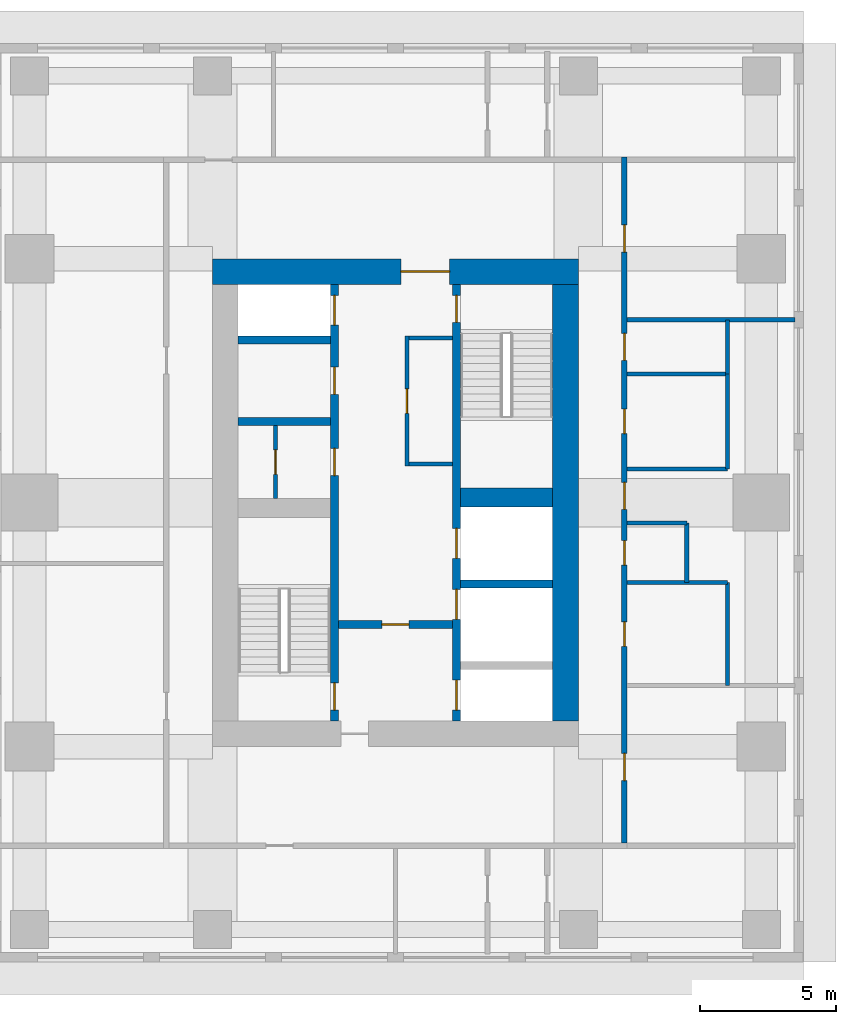
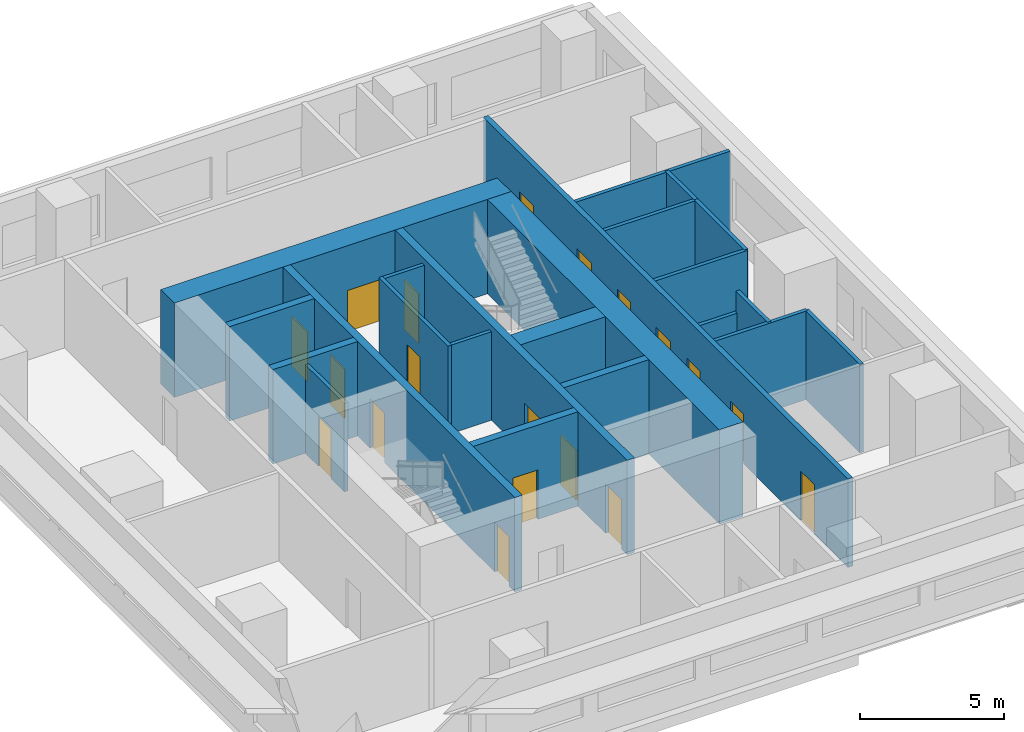
# One storey, part 7 of 11: 23 walls, 19 doors, 19 openings.
"""IFC4 building model written with IfcOpenShell, lengths in metres."""

from ifc_helpers import new_model, si_unit, direction, frame, frame_2d, origin, place, context, subcontext, project, spatial, rectangle, extrude, material, layer, layer_set, type_object, element, fill, save


model = new_model("IFC4")

# Units and contexts
model_context = context("Model", 3, precision=1e-05, world=origin(), true_north=direction((0.0, 1.0)))
body_context = subcontext(model_context, "Body", "Model", "MODEL_VIEW")
ifc_project = project(units=[si_unit("LENGTHUNIT", "METRE"), si_unit("AREAUNIT", "SQUARE_METRE"), si_unit("VOLUMEUNIT", "CUBIC_METRE"), si_unit("PLANEANGLEUNIT", "RADIAN"), si_unit("MASSUNIT", "GRAM", prefix="KILO")], contexts=[model_context])

# Site, building, storey
site_placement = place(None, origin())
site = spatial("IfcSite", under=ifc_project, at=site_placement, CompositionType="ELEMENT")
building_placement = place(site_placement, origin())
building = spatial("IfcBuilding", under=site, at=building_placement, Name="Namib Vertical Campus", CompositionType="ELEMENT")
storey_placement = place(building_placement, frame((0.0, 0.0, 193.0)))
storey = spatial("IfcBuildingStorey", under=building, at=storey_placement, Name="L45", CompositionType="ELEMENT", Elevation=193.0)

# Wall, openings, doors
ifc_material_1 = material(Name="Concrete C60/75", Category="concrete")
ifc_layer_1 = layer(ifc_material_1, 0.300048828125)
ifc_layer_set_1 = layer_set([ifc_layer_1], Name="Concrete C60/75")
wall_type_1 = type_object("IfcWallType", Name="Core inner wall 300", PredefinedType="SHEAR", material=ifc_layer_set_1)
wall_1_placement = place(storey_placement, frame((78.75, 12.199951171875, 0.0), z_axis=(0.0, 0.0, 1.0), x_axis=(0.0, 1.0, 0.0)))
wall_1 = element("IfcWall", 1, at=wall_1_placement, inside=storey, type_object=wall_type_1, Name="Core inner wall B L45 W1", PredefinedType="SHEAR", context=body_context, shape_type="SweptSolid", body=[
    extrude(rectangle(XDim=16.10009765625, YDim=0.300048828125, at=frame_2d((8.050048828125, 0.0))), origin(), (0.0, 0.0, 1.0), 4.0),
])
opening_1_placement = place(wall_1_placement, frame((0.39990234375, 0.0, 0.0)))
opening_1 = element("IfcOpeningElement", 2, at=opening_1_placement, cuts=wall_1, Name="Opening FD1", PredefinedType="OPENING", context=body_context, shape_type="SweptSolid", body=[
    extrude(rectangle(XDim=1.0, YDim=2.10009765625, at=frame_2d((0.5, 1.050048828125))), frame((0.0, 0.159912109375, 0.0), z_axis=(0.0, -1.0, 0.0), x_axis=(1.0, 0.0, 0.0)), (0.0, 0.0, 1.0), 0.320068359375),
])
opening_2_placement = place(wall_1_placement, frame((14.60009765625, 0.0, 0.0)))
opening_2 = element("IfcOpeningElement", 3, at=opening_2_placement, cuts=wall_1, Name="Opening LD1", PredefinedType="OPENING", context=body_context, shape_type="SweptSolid", body=[
    extrude(rectangle(XDim=1.10009765625, YDim=2.10009765625, at=frame_2d((0.550048828125, 1.050048828125))), frame((0.0, 0.159912109375, 0.0), z_axis=(0.0, -1.0, 0.0), x_axis=(1.0, 0.0, 0.0)), (0.0, 0.0, 1.0), 0.320068359375),
])
opening_3_placement = place(wall_1_placement, frame((9.050048828125, 0.0, 0.0)))
opening_3 = element("IfcOpeningElement", 4, at=opening_3_placement, cuts=wall_1, Name="Opening D1", PredefinedType="OPENING", context=body_context, shape_type="SweptSolid", body=[
    extrude(rectangle(XDim=1.0, YDim=2.10009765625, at=frame_2d((0.5, 1.050048828125))), frame((0.0, 0.159912109375, 0.0), z_axis=(0.0, -1.0, 0.0), x_axis=(1.0, 0.0, 0.0)), (0.0, 0.0, 1.0), 0.320068359375),
])
opening_4_placement = place(wall_1_placement, frame((12.050048828125, 0.0, 0.0)))
opening_4 = element("IfcOpeningElement", 5, at=opening_4_placement, cuts=wall_1, Name="Opening D1", PredefinedType="OPENING", context=body_context, shape_type="SweptSolid", body=[
    extrude(rectangle(XDim=1.0, YDim=2.10009765625, at=frame_2d((0.5, 1.050048828125))), frame((0.0, 0.159912109375, 0.0), z_axis=(0.0, -1.0, 0.0), x_axis=(1.0, 0.0, 0.0)), (0.0, 0.0, 1.0), 0.320068359375),
])
ifc_material_2 = material(Name="Timber door leaf", Category="wood")
door_type_1 = type_object("IfcDoorType", Name="Door single 1000x2100", OperationType="SINGLE_SWING_LEFT", PredefinedType="DOOR", material=ifc_material_2)
door_1_placement = place(opening_3_placement, origin())
door_1 = element("IfcDoor", 6, at=door_1_placement, inside=storey, type_object=door_type_1, Name="Door D1 Records store B L45 P1", OperationType="SINGLE_SWING_LEFT", OverallHeight=2.10009765625, OverallWidth=1.0, PredefinedType="DOOR", context=body_context, shape_type="SweptSolid", body=[
    extrude(rectangle(XDim=1.0, YDim=2.10009765625, at=frame_2d((0.5, 1.050048828125))), frame((0.0, 0.02490234375, 0.0), z_axis=(0.0, -1.0, 0.0), x_axis=(1.0, 0.0, 0.0)), (0.0, 0.0, 1.0), 0.050048828125),
])
fill(opening_3, door_1)
door_2_placement = place(opening_4_placement, origin())
door_2 = element("IfcDoor", 7, at=door_2_placement, inside=storey, type_object=door_type_1, Name="Door D1 Staff pantry B L45 P2", OperationType="SINGLE_SWING_LEFT", OverallHeight=2.10009765625, OverallWidth=1.0, PredefinedType="DOOR", context=body_context, shape_type="SweptSolid", body=[
    extrude(rectangle(XDim=1.0, YDim=2.10009765625, at=frame_2d((0.5, 1.050048828125))), frame((0.0, 0.02490234375, 0.0), z_axis=(0.0, -1.0, 0.0), x_axis=(1.0, 0.0, 0.0)), (0.0, 0.0, 1.0), 0.050048828125),
])
fill(opening_4, door_2)
ifc_material_3 = material(Name="Steel fire door", Category="steel")
door_type_2 = type_object("IfcDoorType", Name="Fire door 1000x2100", OperationType="SINGLE_SWING_RIGHT", PredefinedType="DOOR", material=ifc_material_3)
door_3_placement = place(opening_1_placement, origin())
door_3 = element("IfcDoor", 8, at=door_3_placement, inside=storey, type_object=door_type_2, Name="Stair door FD1 B L45 S1", OperationType="SINGLE_SWING_LEFT", OverallHeight=2.10009765625, OverallWidth=1.0, PredefinedType="DOOR", context=body_context, shape_type="SweptSolid", body=[
    extrude(rectangle(XDim=1.0, YDim=2.10009765625, at=frame_2d((0.5, 1.050048828125))), frame((0.0, 0.02490234375, 0.0), z_axis=(0.0, -1.0, 0.0), x_axis=(1.0, 0.0, 0.0)), (0.0, 0.0, 1.0), 0.050048828125),
])
fill(opening_1, door_3)
ifc_material_4 = material(Name="Stainless steel lift door", Category="steel")
door_type_3 = type_object("IfcDoorType", Name="Lift landing door 1100x2100", OperationType="DOUBLE_DOOR_SLIDING", PredefinedType="DOOR", material=ifc_material_4)
door_4_placement = place(opening_2_placement, origin())
door_4 = element("IfcDoor", 9, at=door_4_placement, inside=storey, type_object=door_type_3, Name="Lift landing door LD1 B-P3 L45", OperationType="DOUBLE_DOOR_SLIDING", OverallHeight=2.10009765625, OverallWidth=1.10009765625, PredefinedType="DOOR", context=body_context, shape_type="SweptSolid", body=[
    extrude(rectangle(XDim=1.10009765625, YDim=2.10009765625, at=frame_2d((0.550048828125, 1.050048828125))), frame((0.0, 0.02490234375, 0.0), z_axis=(0.0, -1.0, 0.0), x_axis=(1.0, 0.0, 0.0)), (0.0, 0.0, 1.0), 0.050048828125),
])
fill(opening_2, door_4)

wall_2_placement = place(storey_placement, frame((83.25, 12.199951171875, 0.0), z_axis=(0.0, 0.0, 1.0), x_axis=(0.0, 1.0, 0.0)))
wall_2 = element("IfcWall", 10, at=wall_2_placement, inside=storey, type_object=wall_type_1, Name="Core inner wall B L45 W2", PredefinedType="SHEAR", context=body_context, shape_type="SweptSolid", body=[
    extrude(rectangle(XDim=16.10009765625, YDim=0.300048828125, at=frame_2d((8.050048828125, 0.0))), origin(), (0.0, 0.0, 1.0), 4.0),
])
opening_5_placement = place(wall_2_placement, frame((14.699951171875, 0.0, 0.0)))
opening_5 = element("IfcOpeningElement", 11, at=opening_5_placement, cuts=wall_2, Name="Opening FD1", PredefinedType="OPENING", context=body_context, shape_type="SweptSolid", body=[
    extrude(rectangle(XDim=1.0, YDim=2.10009765625, at=frame_2d((0.5, 1.050048828125))), frame((0.0, 0.159912109375, 0.0), z_axis=(0.0, -1.0, 0.0), x_axis=(1.0, 0.0, 0.0)), (0.0, 0.0, 1.0), 0.320068359375),
])
opening_6_placement = place(wall_2_placement, frame((0.39990234375, 0.0, 0.0)))
opening_6 = element("IfcOpeningElement", 12, at=opening_6_placement, cuts=wall_2, Name="Opening LD1", PredefinedType="OPENING", context=body_context, shape_type="SweptSolid", body=[
    extrude(rectangle(XDim=1.10009765625, YDim=2.10009765625, at=frame_2d((0.550048828125, 1.050048828125))), frame((0.0, 0.159912109375, 0.0), z_axis=(0.0, -1.0, 0.0), x_axis=(1.0, 0.0, 0.0)), (0.0, 0.0, 1.0), 0.320068359375),
])
opening_7_placement = place(wall_2_placement, frame((3.75, 0.0, 0.0)))
opening_7 = element("IfcOpeningElement", 13, at=opening_7_placement, cuts=wall_2, Name="Opening LD1", PredefinedType="OPENING", context=body_context, shape_type="SweptSolid", body=[
    extrude(rectangle(XDim=1.10009765625, YDim=2.10009765625, at=frame_2d((0.550048828125, 1.050048828125))), frame((0.0, 0.159912109375, 0.0), z_axis=(0.0, -1.0, 0.0), x_axis=(1.0, 0.0, 0.0)), (0.0, 0.0, 1.0), 0.320068359375),
])
opening_8_placement = place(wall_2_placement, frame((6.0, 0.0, 0.0)))
opening_8 = element("IfcOpeningElement", 14, at=opening_8_placement, cuts=wall_2, Name="Opening LD1", PredefinedType="OPENING", context=body_context, shape_type="SweptSolid", body=[
    extrude(rectangle(XDim=1.10009765625, YDim=2.10009765625, at=frame_2d((0.550048828125, 1.050048828125))), frame((0.0, 0.159912109375, 0.0), z_axis=(0.0, -1.0, 0.0), x_axis=(1.0, 0.0, 0.0)), (0.0, 0.0, 1.0), 0.320068359375),
])
door_5_placement = place(opening_5_placement, frame((1.0, 0.0, 0.0), z_axis=(0.0, 0.0, 1.0), x_axis=(-1.0, 0.0, 0.0)))
door_5 = element("IfcDoor", 15, at=door_5_placement, inside=storey, type_object=door_type_2, Name="Stair door FD1 B L45 S2", OperationType="SINGLE_SWING_LEFT", OverallHeight=2.10009765625, OverallWidth=1.0, PredefinedType="DOOR", context=body_context, shape_type="SweptSolid", body=[
    extrude(rectangle(XDim=1.0, YDim=2.10009765625, at=frame_2d((0.5, 1.050048828125))), frame((0.0, 0.02490234375, 0.0), z_axis=(0.0, -1.0, 0.0), x_axis=(1.0, 0.0, 0.0)), (0.0, 0.0, 1.0), 0.050048828125),
])
fill(opening_5, door_5)
door_6_placement = place(opening_6_placement, origin())
door_6 = element("IfcDoor", 16, at=door_6_placement, inside=storey, type_object=door_type_3, Name="Lift landing door LD1 B-FL1 L45", OperationType="DOUBLE_DOOR_SLIDING", OverallHeight=2.10009765625, OverallWidth=1.10009765625, PredefinedType="DOOR", context=body_context, shape_type="SweptSolid", body=[
    extrude(rectangle(XDim=1.10009765625, YDim=2.10009765625, at=frame_2d((0.550048828125, 1.050048828125))), frame((0.0, 0.02490234375, 0.0), z_axis=(0.0, -1.0, 0.0), x_axis=(1.0, 0.0, 0.0)), (0.0, 0.0, 1.0), 0.050048828125),
])
fill(opening_6, door_6)
door_7_placement = place(opening_7_placement, origin())
door_7 = element("IfcDoor", 17, at=door_7_placement, inside=storey, type_object=door_type_3, Name="Lift landing door LD1 B-P4 L45", OperationType="DOUBLE_DOOR_SLIDING", OverallHeight=2.10009765625, OverallWidth=1.10009765625, PredefinedType="DOOR", context=body_context, shape_type="SweptSolid", body=[
    extrude(rectangle(XDim=1.10009765625, YDim=2.10009765625, at=frame_2d((0.550048828125, 1.050048828125))), frame((0.0, 0.02490234375, 0.0), z_axis=(0.0, -1.0, 0.0), x_axis=(1.0, 0.0, 0.0)), (0.0, 0.0, 1.0), 0.050048828125),
])
fill(opening_7, door_7)
door_8_placement = place(opening_8_placement, origin())
door_8 = element("IfcDoor", 18, at=door_8_placement, inside=storey, type_object=door_type_3, Name="Lift landing door LD1 B-P5 L45", OperationType="DOUBLE_DOOR_SLIDING", OverallHeight=2.10009765625, OverallWidth=1.10009765625, PredefinedType="DOOR", context=body_context, shape_type="SweptSolid", body=[
    extrude(rectangle(XDim=1.10009765625, YDim=2.10009765625, at=frame_2d((0.550048828125, 1.050048828125))), frame((0.0, 0.02490234375, 0.0), z_axis=(0.0, -1.0, 0.0), x_axis=(1.0, 0.0, 0.0)), (0.0, 0.0, 1.0), 0.050048828125),
])
fill(opening_8, door_8)

# Wall, opening, door
wall_3_placement = place(storey_placement, frame((78.89990234375, 15.75, 0.0), z_axis=(0.0, 0.0, 1.0), x_axis=(1.0, 0.0, 0.0)))
wall_3 = element("IfcWall", 19, at=wall_3_placement, inside=storey, type_object=wall_type_1, Name="Core inner wall B L45 W4", PredefinedType="SHEAR", context=body_context, shape_type="SweptSolid", body=[
    extrude(rectangle(XDim=4.2001953125, YDim=0.300048828125, at=frame_2d((2.10009765625, 0.0))), origin(), (0.0, 0.0, 1.0), 4.0),
])
opening_9_placement = place(wall_3_placement, frame((1.60009765625, 0.0, 0.0)))
opening_9 = element("IfcOpeningElement", 20, at=opening_9_placement, cuts=wall_3, Name="Opening FD5", PredefinedType="OPENING", context=body_context, shape_type="SweptSolid", body=[
    extrude(rectangle(XDim=1.0, YDim=2.10009765625, at=frame_2d((0.5, 1.050048828125))), frame((0.0, 0.159912109375, 0.0), z_axis=(0.0, -1.0, 0.0), x_axis=(1.0, 0.0, 0.0)), (0.0, 0.0, 1.0), 0.320068359375),
])
ifc_material_5 = material(Name="Steel fire door", Category="steel")
door_type_4 = type_object("IfcDoorType", Name="Fire door 1000x2100 120 min", OperationType="SINGLE_SWING_RIGHT", PredefinedType="DOOR", material=ifc_material_5)
door_9_placement = place(opening_9_placement, frame((1.0, 0.0, 0.0), z_axis=(0.0, 0.0, 1.0), x_axis=(-1.0, 0.0, 0.0)))
door_9 = element("IfcDoor", 21, at=door_9_placement, inside=storey, type_object=door_type_4, Name="Lobby door FD5 B L45", OperationType="SINGLE_SWING_RIGHT", OverallHeight=2.10009765625, OverallWidth=1.0, PredefinedType="DOOR", context=body_context, shape_type="SweptSolid", body=[
    extrude(rectangle(XDim=1.0, YDim=2.10009765625, at=frame_2d((0.5, 1.050048828125))), frame((0.0, 0.02490234375, 0.0), z_axis=(0.0, -1.0, 0.0), x_axis=(1.0, 0.0, 0.0)), (0.0, 0.0, 1.0), 0.050048828125),
])
fill(opening_9, door_9)

# Walls
for number, where, z_axis, x_axis, name in (
    (22, (83.39990234375, 17.25, 0.0), (0.0, 0.0, 1.0), (1.0, 0.0, 0.0), "Core inner wall B L45 W6"),
    (23, (75.199951171875, 23.25, 0.0), (0.0, 0.0, 1.0), (1.0, 0.0, 0.0), "Core inner wall B L45 W8"),
    (24, (75.199951171875, 26.25, 0.0), (0.0, 0.0, 1.0), (1.0, 0.0, 0.0), "Core inner wall B L45 W9"),
):
    element("IfcWall", number, at=place(storey_placement, frame(where, z_axis=z_axis, x_axis=x_axis)), inside=storey, type_object=wall_type_1, Name=name, PredefinedType="SHEAR", context=body_context, shape_type="SweptSolid", body=[
        extrude(rectangle(XDim=3.400146484375, YDim=0.300048828125, at=frame_2d((1.7001953125, 0.0))), origin(), (0.0, 0.0, 1.0), 4.0),
    ])
ifc_material_6 = material(Name="Concrete C60/75", Category="concrete")
ifc_layer_2 = layer(ifc_material_6, 0.699951171875)
ifc_layer_set_2 = layer_set([ifc_layer_2], Name="Concrete C60/75")
wall_type_2 = type_object("IfcWallType", Name="Core shear wall 700", PredefinedType="SHEAR", material=ifc_layer_set_2)
wall_4_placement = place(storey_placement, frame((83.39990234375, 20.449951171875, 0.0), z_axis=(0.0, 0.0, 1.0), x_axis=(1.0, 0.0, 0.0)))
element("IfcWall", 25, at=wall_4_placement, inside=storey, type_object=wall_type_2, Name="Core shear wall B L45 W7", PredefinedType="SHEAR", context=body_context, shape_type="SweptSolid", body=[
    extrude(rectangle(XDim=3.400146484375, YDim=0.699951171875, at=frame_2d((1.7001953125, 0.0))), origin(), (0.0, 0.0, 1.0), 4.0),
])
ifc_material_7 = material(Name="Concrete C60/75", Category="concrete")
ifc_layer_3 = layer(ifc_material_7, 0.949951171875)
ifc_layer_set_3 = layer_set([ifc_layer_3], Name="Concrete C60/75")
wall_type_3 = type_object("IfcWallType", Name="Core wall 950", PredefinedType="SHEAR", material=ifc_layer_set_3)
wall_5_placement = place(storey_placement, frame((87.27490234375, 12.199951171875, 0.0), z_axis=(0.0, 0.0, 1.0), x_axis=(0.0, 1.0, 0.0)))
element("IfcWall", 26, at=wall_5_placement, inside=storey, type_object=wall_type_3, Name="Core wall B L45 2", PredefinedType="SHEAR", context=body_context, shape_type="SweptSolid", body=[
    extrude(rectangle(XDim=16.10009765625, YDim=0.949951171875, at=frame_2d((8.050048828125, 0.0))), origin(), (0.0, 0.0, 1.0), 4.0),
])

# Wall, opening, door
wall_6_placement = place(storey_placement, frame((87.75, 28.77490234375, 0.0), z_axis=(0.0, 0.0, 1.0), x_axis=(-1.0, 0.0, 0.0)))
wall_6 = element("IfcWall", 27, at=wall_6_placement, inside=storey, type_object=wall_type_3, Name="Core wall B L45 3", PredefinedType="SHEAR", context=body_context, shape_type="SweptSolid", body=[
    extrude(rectangle(XDim=13.5, YDim=0.949951171875, at=frame_2d((6.75, 0.0))), origin(), (0.0, 0.0, 1.0), 4.0),
])
opening_10_placement = place(wall_6_placement, frame((4.75, 0.0, 0.0)))
opening_10 = element("IfcOpeningElement", 28, at=opening_10_placement, cuts=wall_6, Name="Opening FD2", PredefinedType="OPENING", context=body_context, shape_type="SweptSolid", body=[
    extrude(rectangle(XDim=1.800048828125, YDim=2.10009765625, at=frame_2d((0.89990234375, 1.050048828125))), frame((0.0, 0.48486328125, 0.0), z_axis=(0.0, -1.0, 0.0), x_axis=(1.0, 0.0, 0.0)), (0.0, 0.0, 1.0), 0.969970703125),
])
ifc_material_8 = material(Name="Steel fire door", Category="steel")
door_type_5 = type_object("IfcDoorType", Name="Fire door double 1800x2100", OperationType="DOUBLE_DOOR_SINGLE_SWING", PredefinedType="DOOR", material=ifc_material_8)
door_10_placement = place(opening_10_placement, origin())
door_10 = element("IfcDoor", 29, at=door_10_placement, inside=storey, type_object=door_type_5, Name="Lift lobby door FD2 B L45", OperationType="DOUBLE_DOOR_SINGLE_SWING", OverallHeight=2.10009765625, OverallWidth=1.800048828125, PredefinedType="DOOR", context=body_context, shape_type="SweptSolid", body=[
    extrude(rectangle(XDim=1.800048828125, YDim=2.10009765625, at=frame_2d((0.89990234375, 1.050048828125))), frame((0.0, 0.02490234375, 0.0), z_axis=(0.0, -1.0, 0.0), x_axis=(1.0, 0.0, 0.0)), (0.0, 0.0, 1.0), 0.050048828125),
])
fill(opening_10, door_10)

# Wall, openings, doors
ifc_material_9 = material(Name="Concrete masonry", Category="masonry")
ifc_layer_4 = layer(ifc_material_9, 0.199951171875)
ifc_layer_set_4 = layer_set([ifc_layer_4], Name="Corridor wall 200")
wall_type_4 = type_object("IfcWallType", Name="Corridor wall 200", PredefinedType="SOLIDWALL", material=ifc_layer_set_4)
wall_7_placement = place(storey_placement, frame((89.449951171875, 7.699951171875, 0.0), z_axis=(0.0, 0.0, 1.0), x_axis=(0.0, 1.0, 0.0)))
wall_7 = element("IfcWall", 30, at=wall_7_placement, inside=storey, type_object=wall_type_4, Name="Corridor wall B L45 CE", PredefinedType="SOLIDWALL", context=body_context, shape_type="SweptSolid", body=[
    extrude(rectangle(XDim=25.300048828125, YDim=0.199951171875, at=frame_2d((12.64990234375, 0.0))), origin(), (0.0, 0.0, 1.0), 3.75),
])
opening_11_placement = place(wall_7_placement, frame((2.300048828125, 0.0, 0.0)))
opening_11 = element("IfcOpeningElement", 31, at=opening_11_placement, cuts=wall_7, Name="Opening CD1", PredefinedType="OPENING", context=body_context, shape_type="SweptSolid", body=[
    extrude(rectangle(XDim=1.0, YDim=2.10009765625, at=frame_2d((0.5, 1.050048828125))), frame((0.0, 0.10986328125, 0.0), z_axis=(0.0, -1.0, 0.0), x_axis=(1.0, 0.0, 0.0)), (0.0, 0.0, 1.0), 0.219970703125),
])
opening_12_placement = place(wall_7_placement, frame((7.25, 0.0, 0.0)))
opening_12 = element("IfcOpeningElement", 32, at=opening_12_placement, cuts=wall_7, Name="Opening CD3", PredefinedType="OPENING", context=body_context, shape_type="SweptSolid", body=[
    extrude(rectangle(XDim=0.89990234375, YDim=2.10009765625, at=frame_2d((0.449951171875, 1.050048828125))), frame((0.0, 0.10986328125, 0.0), z_axis=(0.0, -1.0, 0.0), x_axis=(1.0, 0.0, 0.0)), (0.0, 0.0, 1.0), 0.219970703125),
])
opening_13_placement = place(wall_7_placement, frame((10.25, 0.0, 0.0)))
opening_13 = element("IfcOpeningElement", 33, at=opening_13_placement, cuts=wall_7, Name="Opening CD3", PredefinedType="OPENING", context=body_context, shape_type="SweptSolid", body=[
    extrude(rectangle(XDim=0.89990234375, YDim=2.10009765625, at=frame_2d((0.449951171875, 1.050048828125))), frame((0.0, 0.10986328125, 0.0), z_axis=(0.0, -1.0, 0.0), x_axis=(1.0, 0.0, 0.0)), (0.0, 0.0, 1.0), 0.219970703125),
])
opening_14_placement = place(wall_7_placement, frame((15.10009765625, 0.0, 0.0)))
opening_14 = element("IfcOpeningElement", 34, at=opening_14_placement, cuts=wall_7, Name="Opening CD3", PredefinedType="OPENING", context=body_context, shape_type="SweptSolid", body=[
    extrude(rectangle(XDim=0.89990234375, YDim=2.10009765625, at=frame_2d((0.449951171875, 1.050048828125))), frame((0.0, 0.10986328125, 0.0), z_axis=(0.0, -1.0, 0.0), x_axis=(1.0, 0.0, 0.0)), (0.0, 0.0, 1.0), 0.219970703125),
])
opening_15_placement = place(wall_7_placement, frame((17.800048828125, 0.0, 0.0)))
opening_15 = element("IfcOpeningElement", 35, at=opening_15_placement, cuts=wall_7, Name="Opening CD1", PredefinedType="OPENING", context=body_context, shape_type="SweptSolid", body=[
    extrude(rectangle(XDim=1.0, YDim=2.10009765625, at=frame_2d((0.5, 1.050048828125))), frame((0.0, 0.10986328125, 0.0), z_axis=(0.0, -1.0, 0.0), x_axis=(1.0, 0.0, 0.0)), (0.0, 0.0, 1.0), 0.219970703125),
])
opening_16_placement = place(wall_7_placement, frame((12.300048828125, 0.0, 0.0)))
opening_16 = element("IfcOpeningElement", 36, at=opening_16_placement, cuts=wall_7, Name="Opening CD1", PredefinedType="OPENING", context=body_context, shape_type="SweptSolid", body=[
    extrude(rectangle(XDim=1.0, YDim=2.10009765625, at=frame_2d((0.5, 1.050048828125))), frame((0.0, 0.10986328125, 0.0), z_axis=(0.0, -1.0, 0.0), x_axis=(1.0, 0.0, 0.0)), (0.0, 0.0, 1.0), 0.219970703125),
])
opening_17_placement = place(wall_7_placement, frame((21.800048828125, 0.0, 0.0)))
opening_17 = element("IfcOpeningElement", 37, at=opening_17_placement, cuts=wall_7, Name="Opening CD1", PredefinedType="OPENING", context=body_context, shape_type="SweptSolid", body=[
    extrude(rectangle(XDim=1.0, YDim=2.10009765625, at=frame_2d((0.5, 1.050048828125))), frame((0.0, 0.10986328125, 0.0), z_axis=(0.0, -1.0, 0.0), x_axis=(1.0, 0.0, 0.0)), (0.0, 0.0, 1.0), 0.219970703125),
])
ifc_material_10 = material(Name="Timber fire door leaf", Category="wood")
door_type_6 = type_object("IfcDoorType", Name="Corridor door 1000x2100 20 min", OperationType="SINGLE_SWING_LEFT", PredefinedType="DOOR", material=ifc_material_10)
door_11_placement = place(opening_11_placement, frame((1.0, 0.0, 0.0), z_axis=(0.0, 0.0, 1.0), x_axis=(-1.0, 0.0, 0.0)))
door_11 = element("IfcDoor", 38, at=door_11_placement, inside=storey, type_object=door_type_6, Name="Door CD1 B45-04", OperationType="SINGLE_SWING_RIGHT", OverallHeight=2.10009765625, OverallWidth=1.0, PredefinedType="DOOR", context=body_context, shape_type="SweptSolid", body=[
    extrude(rectangle(XDim=1.0, YDim=2.10009765625, at=frame_2d((0.5, 1.050048828125))), frame((0.0, 0.02490234375, 0.0), z_axis=(0.0, -1.0, 0.0), x_axis=(1.0, 0.0, 0.0)), (0.0, 0.0, 1.0), 0.050048828125),
])
fill(opening_11, door_11)
door_12_placement = place(opening_15_placement, frame((1.0, 0.0, 0.0), z_axis=(0.0, 0.0, 1.0), x_axis=(-1.0, 0.0, 0.0)))
door_12 = element("IfcDoor", 39, at=door_12_placement, inside=storey, type_object=door_type_6, Name="Door CD1 B45-08", OperationType="SINGLE_SWING_RIGHT", OverallHeight=2.10009765625, OverallWidth=1.0, PredefinedType="DOOR", context=body_context, shape_type="SweptSolid", body=[
    extrude(rectangle(XDim=1.0, YDim=2.10009765625, at=frame_2d((0.5, 1.050048828125))), frame((0.0, 0.02490234375, 0.0), z_axis=(0.0, -1.0, 0.0), x_axis=(1.0, 0.0, 0.0)), (0.0, 0.0, 1.0), 0.050048828125),
])
fill(opening_15, door_12)
door_13_placement = place(opening_16_placement, frame((1.0, 0.0, 0.0), z_axis=(0.0, 0.0, 1.0), x_axis=(-1.0, 0.0, 0.0)))
door_13 = element("IfcDoor", 40, at=door_13_placement, inside=storey, type_object=door_type_6, Name="Door CD1 B45-09", OperationType="SINGLE_SWING_RIGHT", OverallHeight=2.10009765625, OverallWidth=1.0, PredefinedType="DOOR", context=body_context, shape_type="SweptSolid", body=[
    extrude(rectangle(XDim=1.0, YDim=2.10009765625, at=frame_2d((0.5, 1.050048828125))), frame((0.0, 0.02490234375, 0.0), z_axis=(0.0, -1.0, 0.0), x_axis=(1.0, 0.0, 0.0)), (0.0, 0.0, 1.0), 0.050048828125),
])
fill(opening_16, door_13)
door_14_placement = place(opening_17_placement, frame((1.0, 0.0, 0.0), z_axis=(0.0, 0.0, 1.0), x_axis=(-1.0, 0.0, 0.0)))
door_14 = element("IfcDoor", 41, at=door_14_placement, inside=storey, type_object=door_type_6, Name="Door CD1 B45-10", OperationType="SINGLE_SWING_RIGHT", OverallHeight=2.10009765625, OverallWidth=1.0, PredefinedType="DOOR", context=body_context, shape_type="SweptSolid", body=[
    extrude(rectangle(XDim=1.0, YDim=2.10009765625, at=frame_2d((0.5, 1.050048828125))), frame((0.0, 0.02490234375, 0.0), z_axis=(0.0, -1.0, 0.0), x_axis=(1.0, 0.0, 0.0)), (0.0, 0.0, 1.0), 0.050048828125),
])
fill(opening_17, door_14)
ifc_material_11 = material(Name="Timber fire door leaf", Category="wood")
door_type_7 = type_object("IfcDoorType", Name="Corridor toilet door 900x2100 20 min", OperationType="SINGLE_SWING_LEFT", PredefinedType="DOOR", material=ifc_material_11)
door_15_placement = place(opening_12_placement, frame((0.89990234375, 0.0, 0.0), z_axis=(0.0, 0.0, 1.0), x_axis=(-1.0, 0.0, 0.0)))
door_15 = element("IfcDoor", 42, at=door_15_placement, inside=storey, type_object=door_type_7, Name="Door CD3 B45-05", OperationType="SINGLE_SWING_RIGHT", OverallHeight=2.10009765625, OverallWidth=0.89990234375, PredefinedType="DOOR", context=body_context, shape_type="SweptSolid", body=[
    extrude(rectangle(XDim=0.89990234375, YDim=2.10009765625, at=frame_2d((0.449951171875, 1.050048828125))), frame((0.0, 0.02490234375, 0.0), z_axis=(0.0, -1.0, 0.0), x_axis=(1.0, 0.0, 0.0)), (0.0, 0.0, 1.0), 0.050048828125),
])
fill(opening_12, door_15)
door_16_placement = place(opening_13_placement, frame((0.89990234375, 0.0, 0.0), z_axis=(0.0, 0.0, 1.0), x_axis=(-1.0, 0.0, 0.0)))
door_16 = element("IfcDoor", 43, at=door_16_placement, inside=storey, type_object=door_type_7, Name="Door CD3 B45-06", OperationType="SINGLE_SWING_RIGHT", OverallHeight=2.10009765625, OverallWidth=0.89990234375, PredefinedType="DOOR", context=body_context, shape_type="SweptSolid", body=[
    extrude(rectangle(XDim=0.89990234375, YDim=2.10009765625, at=frame_2d((0.449951171875, 1.050048828125))), frame((0.0, 0.02490234375, 0.0), z_axis=(0.0, -1.0, 0.0), x_axis=(1.0, 0.0, 0.0)), (0.0, 0.0, 1.0), 0.050048828125),
])
fill(opening_13, door_16)
door_17_placement = place(opening_14_placement, frame((0.89990234375, 0.0, 0.0), z_axis=(0.0, 0.0, 1.0), x_axis=(-1.0, 0.0, 0.0)))
door_17 = element("IfcDoor", 44, at=door_17_placement, inside=storey, type_object=door_type_7, Name="Door CD3 B45-07", OperationType="SINGLE_SWING_RIGHT", OverallHeight=2.10009765625, OverallWidth=0.89990234375, PredefinedType="DOOR", context=body_context, shape_type="SweptSolid", body=[
    extrude(rectangle(XDim=0.89990234375, YDim=2.10009765625, at=frame_2d((0.449951171875, 1.050048828125))), frame((0.0, 0.02490234375, 0.0), z_axis=(0.0, -1.0, 0.0), x_axis=(1.0, 0.0, 0.0)), (0.0, 0.0, 1.0), 0.050048828125),
])
fill(opening_14, door_17)

# Wall, opening, door
ifc_material_12 = material(Name="Gypsum board on steel studs", Category="steel")
ifc_layer_5 = layer(ifc_material_12, 0.14990234375)
ifc_layer_set_5 = layer_set([ifc_layer_5], Name="Gypsum board on steel studs")
wall_type_5 = type_object("IfcWallType", Name="Partition 150", PredefinedType="PARTITIONING", material=ifc_layer_set_5)
wall_8_placement = place(storey_placement, frame((81.425048828125, 21.60009765625, 0.0), z_axis=(0.0, 0.0, 1.0), x_axis=(0.0, 1.0, 0.0)))
wall_8 = element("IfcWall", 45, at=wall_8_placement, inside=storey, type_object=wall_type_5, Name="Partition B L45 Staff pantry front", PredefinedType="PARTITIONING", context=body_context, shape_type="SweptSolid", body=[
    extrude(rectangle(XDim=4.7998046875, YDim=0.14990234375, at=frame_2d((2.39990234375, 0.0))), origin(), (0.0, 0.0, 1.0), 3.75),
])
opening_18_placement = place(wall_8_placement, frame((1.949951171875, 0.0, 0.0)))
opening_18 = element("IfcOpeningElement", 46, at=opening_18_placement, cuts=wall_8, Name="Opening D3", PredefinedType="OPENING", context=body_context, shape_type="SweptSolid", body=[
    extrude(rectangle(XDim=0.89990234375, YDim=2.10009765625, at=frame_2d((0.449951171875, 1.050048828125))), frame((0.0, 0.0849609375, 0.0), z_axis=(0.0, -1.0, 0.0), x_axis=(1.0, 0.0, 0.0)), (0.0, 0.0, 1.0), 0.169921875),
])
ifc_material_13 = material(Name="Timber door leaf", Category="wood")
door_type_8 = type_object("IfcDoorType", Name="Toilet door 900x2100", OperationType="SINGLE_SWING_LEFT", PredefinedType="DOOR", material=ifc_material_13)
door_18_placement = place(opening_18_placement, frame((0.89990234375, 0.0, 0.0), z_axis=(0.0, 0.0, 1.0), x_axis=(-1.0, 0.0, 0.0)))
door_18 = element("IfcDoor", 47, at=door_18_placement, inside=storey, type_object=door_type_8, Name="Door D3 Staff pantry B L45", OperationType="SINGLE_SWING_RIGHT", OverallHeight=2.10009765625, OverallWidth=0.89990234375, PredefinedType="DOOR", context=body_context, shape_type="SweptSolid", body=[
    extrude(rectangle(XDim=0.89990234375, YDim=2.10009765625, at=frame_2d((0.449951171875, 1.050048828125))), frame((0.0, 0.02490234375, 0.0), z_axis=(0.0, -1.0, 0.0), x_axis=(1.0, 0.0, 0.0)), (0.0, 0.0, 1.0), 0.050048828125),
])
fill(opening_18, door_18)

# Walls
for number, where, z_axis, x_axis, name in (
    (48, (81.5, 21.675048828125, 0.0), (0.0, 0.0, 1.0), (1.0, 0.0, 0.0), "Partition B L45 Staff pantry end 1"),
    (49, (81.5, 26.324951171875, 0.0), (0.0, 0.0, 1.0), (1.0, 0.0, 0.0), "Partition B L45 Staff pantry end 2"),
):
    element("IfcWall", number, at=place(storey_placement, frame(where, z_axis=z_axis, x_axis=x_axis)), inside=storey, type_object=wall_type_5, Name=name, PredefinedType="PARTITIONING", context=body_context, shape_type="SweptSolid", body=[
        extrude(rectangle(XDim=1.60009765625, YDim=0.14990234375, at=frame_2d((0.800048828125, 0.0))), origin(), (0.0, 0.0, 1.0), 3.75),
    ])

# Wall, opening, door
wall_9_placement = place(storey_placement, frame((76.574951171875, 20.39990234375, 0.0), z_axis=(0.0, 0.0, 1.0), x_axis=(0.0, 1.0, 0.0)))
wall_9 = element("IfcWall", 50, at=wall_9_placement, inside=storey, type_object=wall_type_5, Name="Partition B L45 Records store P1 back", PredefinedType="PARTITIONING", context=body_context, shape_type="SweptSolid", body=[
    extrude(rectangle(XDim=2.7001953125, YDim=0.14990234375, at=frame_2d((1.35009765625, 0.0))), origin(), (0.0, 0.0, 1.0), 3.75),
])
opening_19_placement = place(wall_9_placement, frame((0.89990234375, 0.0, 0.0)))
opening_19 = element("IfcOpeningElement", 51, at=opening_19_placement, cuts=wall_9, Name="Opening D3", PredefinedType="OPENING", context=body_context, shape_type="SweptSolid", body=[
    extrude(rectangle(XDim=0.89990234375, YDim=2.10009765625, at=frame_2d((0.449951171875, 1.050048828125))), frame((0.0, 0.0849609375, 0.0), z_axis=(0.0, -1.0, 0.0), x_axis=(1.0, 0.0, 0.0)), (0.0, 0.0, 1.0), 0.169921875),
])
door_19_placement = place(opening_19_placement, origin())
door_19 = element("IfcDoor", 52, at=door_19_placement, inside=storey, type_object=door_type_8, Name="Door D3 Store B L45 P1", OperationType="SINGLE_SWING_LEFT", OverallHeight=2.10009765625, OverallWidth=0.89990234375, PredefinedType="DOOR", context=body_context, shape_type="SweptSolid", body=[
    extrude(rectangle(XDim=0.89990234375, YDim=2.10009765625, at=frame_2d((0.449951171875, 1.050048828125))), frame((0.0, 0.02490234375, 0.0), z_axis=(0.0, -1.0, 0.0), x_axis=(1.0, 0.0, 0.0)), (0.0, 0.0, 1.0), 0.050048828125),
])
fill(opening_19, door_19)

# Walls
wall_10_placement = place(storey_placement, frame((89.550048828125, 27.0, 0.0), z_axis=(0.0, 0.0, 1.0), x_axis=(1.0, 0.0, 0.0)))
element("IfcWall", 53, at=wall_10_placement, inside=storey, type_object=wall_type_5, Name="Partition B L45 PE2", PredefinedType="PARTITIONING", context=body_context, shape_type="SweptSolid", body=[
    extrude(rectangle(XDim=6.199951171875, YDim=0.14990234375, at=frame_2d((3.10009765625, 0.0))), origin(), (0.0, 0.0, 1.0), 3.75),
])
wall_11_placement = place(storey_placement, frame((89.550048828125, 17.300048828125, 0.0), z_axis=(0.0, 0.0, 1.0), x_axis=(1.0, 0.0, 0.0)))
element("IfcWall", 54, at=wall_11_placement, inside=storey, type_object=wall_type_5, Name="Partition B L45 WR1", PredefinedType="PARTITIONING", context=body_context, shape_type="SweptSolid", body=[
    extrude(rectangle(XDim=3.699951171875, YDim=0.14990234375, at=frame_2d((1.85009765625, 0.0))), origin(), (0.0, 0.0, 1.0), 3.75),
])
wall_12_placement = place(storey_placement, frame((89.550048828125, 19.5, 0.0), z_axis=(0.0, 0.0, 1.0), x_axis=(1.0, 0.0, 0.0)))
element("IfcWall", 55, at=wall_12_placement, inside=storey, type_object=wall_type_5, Name="Partition B L45 WR2", PredefinedType="PARTITIONING", context=body_context, shape_type="SweptSolid", body=[
    extrude(rectangle(XDim=2.199951171875, YDim=0.14990234375, at=frame_2d((1.10009765625, 0.0))), origin(), (0.0, 0.0, 1.0), 2.85009765625),
])
for number, where, z_axis, x_axis, name in (
    (56, (89.550048828125, 21.5, 0.0), (0.0, 0.0, 1.0), (1.0, 0.0, 0.0), "Partition B L45 WR3"),
    (57, (89.550048828125, 25.0, 0.0), (0.0, 0.0, 1.0), (1.0, 0.0, 0.0), "Partition B L45 WR4"),
):
    element("IfcWall", number, at=place(storey_placement, frame(where, z_axis=z_axis, x_axis=x_axis)), inside=storey, type_object=wall_type_5, Name=name, PredefinedType="PARTITIONING", context=body_context, shape_type="SweptSolid", body=[
        extrude(rectangle(XDim=3.699951171875, YDim=0.14990234375, at=frame_2d((1.85009765625, 0.0))), origin(), (0.0, 0.0, 1.0), 3.75),
    ])
wall_13_placement = place(storey_placement, frame((93.25, 13.5, 0.0), z_axis=(0.0, 0.0, 1.0), x_axis=(0.0, 1.0, 0.0)))
element("IfcWall", 58, at=wall_13_placement, inside=storey, type_object=wall_type_5, Name="Partition B L45 WB1", PredefinedType="PARTITIONING", context=body_context, shape_type="SweptSolid", body=[
    extrude(rectangle(XDim=3.800048828125, YDim=0.14990234375, at=frame_2d((1.89990234375, 0.0))), origin(), (0.0, 0.0, 1.0), 3.75),
])
wall_14_placement = place(storey_placement, frame((91.75, 17.300048828125, 0.0), z_axis=(0.0, 0.0, 1.0), x_axis=(0.0, 1.0, 0.0)))
element("IfcWall", 59, at=wall_14_placement, inside=storey, type_object=wall_type_5, Name="Partition B L45 WB2", PredefinedType="PARTITIONING", context=body_context, shape_type="SweptSolid", body=[
    extrude(rectangle(XDim=2.199951171875, YDim=0.14990234375, at=frame_2d((1.10009765625, 0.0))), origin(), (0.0, 0.0, 1.0), 3.75),
])
wall_15_placement = place(storey_placement, frame((93.25, 21.5, 0.0), z_axis=(0.0, 0.0, 1.0), x_axis=(0.0, 1.0, 0.0)))
element("IfcWall", 60, at=wall_15_placement, inside=storey, type_object=wall_type_5, Name="Partition B L45 WB3", PredefinedType="PARTITIONING", context=body_context, shape_type="SweptSolid", body=[
    extrude(rectangle(XDim=3.5, YDim=0.14990234375, at=frame_2d((1.75, 0.0))), origin(), (0.0, 0.0, 1.0), 3.75),
])
wall_16_placement = place(storey_placement, frame((93.25, 25.0, 0.0), z_axis=(0.0, 0.0, 1.0), x_axis=(0.0, 1.0, 0.0)))
element("IfcWall", 61, at=wall_16_placement, inside=storey, type_object=wall_type_5, Name="Partition B L45 WB4", PredefinedType="PARTITIONING", context=body_context, shape_type="SweptSolid", body=[
    extrude(rectangle(XDim=2.0, YDim=0.14990234375, at=frame_2d((1.0, 0.0))), origin(), (0.0, 0.0, 1.0), 3.75),
])

save(model, "model.ifc")
